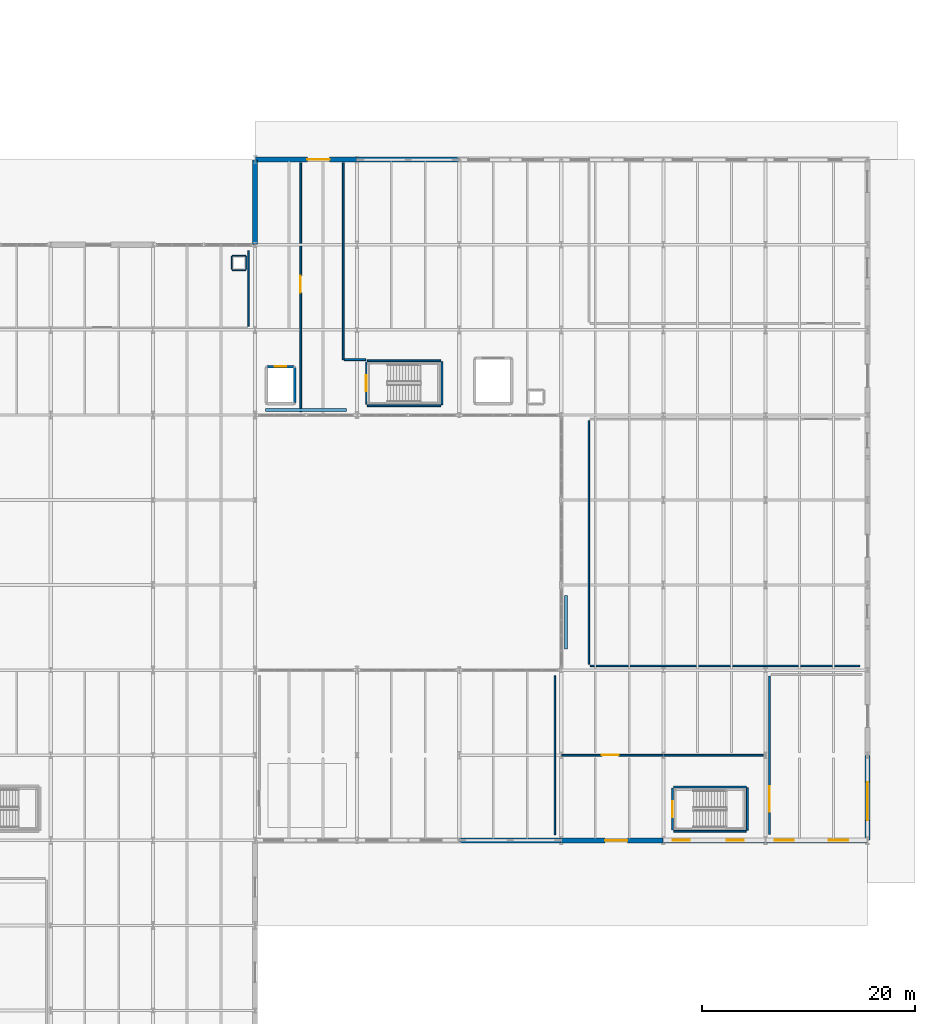
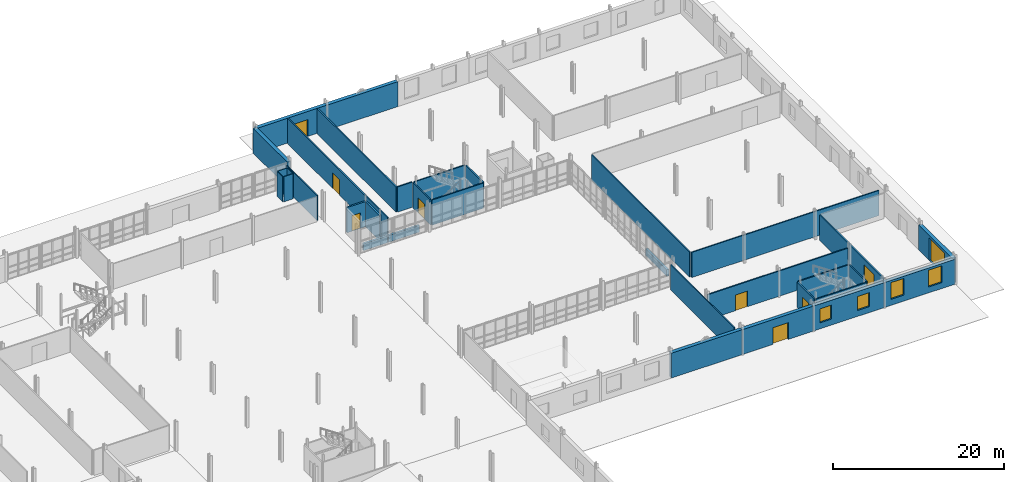
# One storey, part 63 of 78: 33 walls, 9 doors, 4 windows, 13 openings.
"""IFC4 building model written with IfcOpenShell, lengths in metres."""

from ifc_helpers import new_model, si_unit, direction, frame, frame_2d, origin, place, context, subcontext, project, spatial, rectangle, extrude, material, layer, layer_set, type_object, element, fill, save


model = new_model("IFC4")

# Units and contexts
model_context = context("Model", 3, precision=1e-05, world=origin(), true_north=direction((0.0, 1.0)))
body_context = subcontext(model_context, "Body", "Model", "MODEL_VIEW")
ifc_project = project(units=[si_unit("LENGTHUNIT", "METRE"), si_unit("AREAUNIT", "SQUARE_METRE"), si_unit("VOLUMEUNIT", "CUBIC_METRE"), si_unit("PLANEANGLEUNIT", "RADIAN"), si_unit("MASSUNIT", "GRAM", prefix="KILO")], contexts=[model_context])

# Site, building, storey
site_placement = place(None, origin())
site = spatial("IfcSite", under=ifc_project, at=site_placement, CompositionType="ELEMENT")
building_placement = place(site_placement, origin())
building = spatial("IfcBuilding", under=site, at=building_placement, Name="Alderhovde Museum", CompositionType="ELEMENT")
storey_placement = place(building_placement, origin())
storey = spatial("IfcBuildingStorey", under=building, at=storey_placement, Name="L00", CompositionType="ELEMENT", Elevation=0.0)

# Wall
ifc_material_1 = material(Name="Nordic Granite Ashlar on Concrete C35/45", Category="masonry")
ifc_layer_1 = layer(ifc_material_1, 0.47998046875)
ifc_layer_set_1 = layer_set([ifc_layer_1], Name="Nordic Granite Ashlar on Concrete C35/45")
wall_type_1 = type_object("IfcWallType", Name="EW-GRAN-480", PredefinedType="SOLIDWALL", material=ifc_layer_set_1)
wall_1_placement = place(storey_placement, frame((134.419921875, 32.0, 0.0), z_axis=(0.0, 0.0, 1.0), x_axis=(1.0, 0.0, 0.0)))
element("IfcWall", 1, at=wall_1_placement, inside=storey, type_object=wall_type_1, Name="L00 Conservation South Beaux-Arts Wall 175", PredefinedType="SOLIDWALL", context=body_context, shape_type="SweptSolid", body=[
    extrude(rectangle(XDim=9.56005859375, YDim=0.47998046875, at=frame_2d((4.780029296875, 0.0))), origin(), (0.0, 0.0, 1.0), 3.56005859375),
])

# Wall, opening, door
wall_2_placement = place(storey_placement, frame((144.02001953125, 32.0, 0.0), z_axis=(0.0, 0.0, 1.0), x_axis=(1.0, 0.0, 0.0)))
wall_2 = element("IfcWall", 2, at=wall_2_placement, inside=storey, type_object=wall_type_1, Name="L00 Conservation South Beaux-Arts Wall 176", PredefinedType="SOLIDWALL", context=body_context, shape_type="SweptSolid", body=[
    extrude(rectangle(XDim=9.56005859375, YDim=0.47998046875, at=frame_2d((4.780029296875, 0.0))), origin(), (0.0, 0.0, 1.0), 3.56005859375),
])
opening_1_placement = place(wall_2_placement, frame((4.10009765625, 0.0, 0.0)))
opening_1 = element("IfcOpeningElement", 3, at=opening_1_placement, cuts=wall_2, Name="Opening ED03", PredefinedType="OPENING", context=body_context, shape_type="SweptSolid", body=[
    extrude(rectangle(XDim=2.10009765625, YDim=2.39990234375, at=frame_2d((1.050048828125, 1.199951171875))), frame((0.0, 0.25, 0.0), z_axis=(0.0, -1.0, 0.0), x_axis=(1.0, 0.0, 0.0)), (0.0, 0.0, 1.0), 0.5),
])
ifc_material_2 = material(Name="Thermally Broken Bronze-Anodised Aluminium and Laminated Glass", Category="aluminium")
door_type_1 = type_object("IfcDoorType", Name="DR-EXT-2100x2400", OperationType="NOTDEFINED", PredefinedType="DOOR", material=ifc_material_2)
door_1_placement = place(opening_1_placement, frame((2.10009765625, 0.0, 0.0), z_axis=(0.0, 0.0, 1.0), x_axis=(-1.0, 0.0, 0.0)))
door_1 = element("IfcDoor", 4, at=door_1_placement, inside=storey, type_object=door_type_1, Name="Stair ST7 Protected Discharge Exit Door", OperationType="DOUBLE_DOOR_SINGLE_SWING", OverallHeight=2.39990234375, OverallWidth=2.10009765625, PredefinedType="DOOR", context=body_context, shape_type="SweptSolid", body=[
    extrude(rectangle(XDim=2.10009765625, YDim=2.39990234375, at=frame_2d((1.050048828125, 1.199951171875))), frame((0.0, 0.02490234375, 0.0), z_axis=(0.0, -1.0, 0.0), x_axis=(1.0, 0.0, 0.0)), (0.0, 0.0, 1.0), 0.050048828125),
])
fill(opening_1, door_1)

# Wall, openings, windows
wall_3_placement = place(storey_placement, frame((153.6201171875, 32.0, 0.0), z_axis=(0.0, 0.0, 1.0), x_axis=(1.0, 0.0, 0.0)))
wall_3 = element("IfcWall", 5, at=wall_3_placement, inside=storey, type_object=wall_type_1, Name="L00 Conservation South Beaux-Arts Wall 177", PredefinedType="SOLIDWALL", context=body_context, shape_type="SweptSolid", body=[
    extrude(rectangle(XDim=9.559814453125, YDim=0.47998046875, at=frame_2d((4.77978515625, 0.0))), origin(), (0.0, 0.0, 1.0), 3.56005859375),
])
opening_2_placement = place(wall_3_placement, frame((0.85009765625, 0.0, 0.85009765625)))
opening_2 = element("IfcOpeningElement", 6, at=opening_2_placement, cuts=wall_3, Name="Opening W17", PredefinedType="OPENING", context=body_context, shape_type="SweptSolid", body=[
    extrude(rectangle(XDim=1.60009765625, YDim=2.0, at=frame_2d((0.800048828125, 1.0))), frame((0.0, 0.25, 0.0), z_axis=(0.0, -1.0, 0.0), x_axis=(1.0, 0.0, 0.0)), (0.0, 0.0, 1.0), 0.5),
])
opening_3_placement = place(wall_3_placement, frame((5.949951171875, 0.0, 0.85009765625)))
opening_3 = element("IfcOpeningElement", 7, at=opening_3_placement, cuts=wall_3, Name="Opening W17", PredefinedType="OPENING", context=body_context, shape_type="SweptSolid", body=[
    extrude(rectangle(XDim=1.60009765625, YDim=2.0, at=frame_2d((0.800048828125, 1.0))), frame((0.0, 0.25, 0.0), z_axis=(0.0, -1.0, 0.0), x_axis=(1.0, 0.0, 0.0)), (0.0, 0.0, 1.0), 0.5),
])
ifc_material_3 = material(Name="Triple-Glazed Low-E Bronze-Anodised Aluminium", Category="aluminium")
window_type_1 = type_object("IfcWindowType", Name="WIN-LAB-1600x2000", PartitioningType="DOUBLE_PANEL_VERTICAL", PredefinedType="WINDOW", material=ifc_material_3)
window_1_placement = place(opening_2_placement, origin())
window_1 = element("IfcWindow", 8, at=window_1_placement, inside=storey, type_object=window_type_1, Name="L00 Facade Window 151", OverallHeight=2.0, OverallWidth=1.60009765625, PartitioningType="SINGLE_PANEL", PredefinedType="WINDOW", context=body_context, shape_type="SweptSolid", body=[
    extrude(rectangle(XDim=1.60009765625, YDim=2.0, at=frame_2d((0.800048828125, 1.0))), frame((0.0, 0.030029296875, 0.0), z_axis=(0.0, -1.0, 0.0), x_axis=(1.0, 0.0, 0.0)), (0.0, 0.0, 1.0), 0.06005859375),
])
fill(opening_2, window_1)
window_2_placement = place(opening_3_placement, origin())
window_2 = element("IfcWindow", 9, at=window_2_placement, inside=storey, type_object=window_type_1, Name="L00 Facade Window 152", OverallHeight=2.0, OverallWidth=1.60009765625, PartitioningType="SINGLE_PANEL", PredefinedType="WINDOW", context=body_context, shape_type="SweptSolid", body=[
    extrude(rectangle(XDim=1.60009765625, YDim=2.0, at=frame_2d((0.800048828125, 1.0))), frame((0.0, 0.030029296875, 0.0), z_axis=(0.0, -1.0, 0.0), x_axis=(1.0, 0.0, 0.0)), (0.0, 0.0, 1.0), 0.06005859375),
])
fill(opening_3, window_2)

wall_4_placement = place(storey_placement, frame((163.219970703125, 32.0, 0.0), z_axis=(0.0, 0.0, 1.0), x_axis=(1.0, 0.0, 0.0)))
wall_4 = element("IfcWall", 10, at=wall_4_placement, inside=storey, type_object=wall_type_1, Name="L00 Conservation South Beaux-Arts Wall 178", PredefinedType="SOLIDWALL", context=body_context, shape_type="SweptSolid", body=[
    extrude(rectangle(XDim=9.56005859375, YDim=0.47998046875, at=frame_2d((4.780029296875, 0.0))), origin(), (0.0, 0.0, 1.0), 3.56005859375),
])
opening_4_placement = place(wall_4_placement, frame((0.85009765625, 0.0, 0.85009765625)))
opening_4 = element("IfcOpeningElement", 11, at=opening_4_placement, cuts=wall_4, Name="Opening W05", PredefinedType="OPENING", context=body_context, shape_type="SweptSolid", body=[
    extrude(rectangle(XDim=1.800048828125, YDim=2.39990234375, at=frame_2d((0.89990234375, 1.199951171875))), frame((0.0, 0.25, 0.0), z_axis=(0.0, -1.0, 0.0), x_axis=(1.0, 0.0, 0.0)), (0.0, 0.0, 1.0), 0.5),
])
opening_5_placement = place(wall_4_placement, frame((5.949951171875, 0.0, 0.85009765625)))
opening_5 = element("IfcOpeningElement", 12, at=opening_5_placement, cuts=wall_4, Name="Opening W05", PredefinedType="OPENING", context=body_context, shape_type="SweptSolid", body=[
    extrude(rectangle(XDim=1.800048828125, YDim=2.39990234375, at=frame_2d((0.89990234375, 1.199951171875))), frame((0.0, 0.25, 0.0), z_axis=(0.0, -1.0, 0.0), x_axis=(1.0, 0.0, 0.0)), (0.0, 0.0, 1.0), 0.5),
])
ifc_material_4 = material(Name="Triple-Glazed Low-E Bronze-Anodised Aluminium", Category="aluminium")
window_type_2 = type_object("IfcWindowType", Name="WIN-BA-1800x2400", PartitioningType="DOUBLE_PANEL_VERTICAL", PredefinedType="WINDOW", material=ifc_material_4)
window_3_placement = place(opening_4_placement, origin())
window_3 = element("IfcWindow", 13, at=window_3_placement, inside=storey, type_object=window_type_2, Name="L00 Facade Window 153", OverallHeight=2.39990234375, OverallWidth=1.800048828125, PartitioningType="SINGLE_PANEL", PredefinedType="WINDOW", context=body_context, shape_type="SweptSolid", body=[
    extrude(rectangle(XDim=1.800048828125, YDim=2.39990234375, at=frame_2d((0.89990234375, 1.199951171875))), frame((0.0, 0.030029296875, 0.0), z_axis=(0.0, -1.0, 0.0), x_axis=(1.0, 0.0, 0.0)), (0.0, 0.0, 1.0), 0.06005859375),
])
fill(opening_4, window_3)
window_4_placement = place(opening_5_placement, origin())
window_4 = element("IfcWindow", 14, at=window_4_placement, inside=storey, type_object=window_type_2, Name="L00 Facade Window 154", OverallHeight=2.39990234375, OverallWidth=1.800048828125, PartitioningType="SINGLE_PANEL", PredefinedType="WINDOW", context=body_context, shape_type="SweptSolid", body=[
    extrude(rectangle(XDim=1.800048828125, YDim=2.39990234375, at=frame_2d((0.89990234375, 1.199951171875))), frame((0.0, 0.030029296875, 0.0), z_axis=(0.0, -1.0, 0.0), x_axis=(1.0, 0.0, 0.0)), (0.0, 0.0, 1.0), 0.06005859375),
])
fill(opening_5, window_4)

# Wall, opening, door
wall_5_placement = place(storey_placement, frame((115.219970703125, 96.0, 0.0), z_axis=(0.0, 0.0, 1.0), x_axis=(1.0, 0.0, 0.0)))
wall_5 = element("IfcWall", 15, at=wall_5_placement, inside=storey, type_object=wall_type_1, Name="L00 Conservation North Beaux-Arts Wall 179", PredefinedType="SOLIDWALL", context=body_context, shape_type="SweptSolid", body=[
    extrude(rectangle(XDim=9.56005859375, YDim=0.47998046875, at=frame_2d((4.780029296875, 0.0))), origin(), (0.0, 0.0, 1.0), 3.56005859375),
])
opening_6_placement = place(wall_5_placement, frame((4.89990234375, 0.0, 0.0)))
opening_6 = element("IfcOpeningElement", 16, at=opening_6_placement, cuts=wall_5, Name="Opening ED03", PredefinedType="OPENING", context=body_context, shape_type="SweptSolid", body=[
    extrude(rectangle(XDim=2.10009765625, YDim=2.39990234375, at=frame_2d((1.050048828125, 1.199951171875))), frame((0.0, 0.25, 0.0), z_axis=(0.0, -1.0, 0.0), x_axis=(1.0, 0.0, 0.0)), (0.0, 0.0, 1.0), 0.5),
])
door_2_placement = place(opening_6_placement, origin())
door_2 = element("IfcDoor", 17, at=door_2_placement, inside=storey, type_object=door_type_1, Name="Stair ST4 Protected Discharge Exit Door", OperationType="DOUBLE_DOOR_SINGLE_SWING", OverallHeight=2.39990234375, OverallWidth=2.10009765625, PredefinedType="DOOR", context=body_context, shape_type="SweptSolid", body=[
    extrude(rectangle(XDim=2.10009765625, YDim=2.39990234375, at=frame_2d((1.050048828125, 1.199951171875))), frame((0.0, 0.02490234375, 0.0), z_axis=(0.0, -1.0, 0.0), x_axis=(1.0, 0.0, 0.0)), (0.0, 0.0, 1.0), 0.050048828125),
])
fill(opening_6, door_2)

# Wall
wall_6_placement = place(storey_placement, frame((124.820068359375, 96.0, 0.0), z_axis=(0.0, 0.0, 1.0), x_axis=(1.0, 0.0, 0.0)))
element("IfcWall", 18, at=wall_6_placement, inside=storey, type_object=wall_type_1, Name="L00 Conservation North Beaux-Arts Wall 180", PredefinedType="SOLIDWALL", context=body_context, shape_type="SweptSolid", body=[
    extrude(rectangle(XDim=9.559814453125, YDim=0.47998046875, at=frame_2d((4.77978515625, 0.0))), origin(), (0.0, 0.0, 1.0), 3.56005859375),
])

# Wall, opening, door
wall_7_placement = place(storey_placement, frame((172.800048828125, 32.02001953125, 0.0), z_axis=(0.0, 0.0, 1.0), x_axis=(0.0, 1.0, 0.0)))
wall_7 = element("IfcWall", 19, at=wall_7_placement, inside=storey, type_object=wall_type_1, Name="L00 Conservation East Hillside Wall 185", PredefinedType="SOLIDWALL", context=body_context, shape_type="SweptSolid", body=[
    extrude(rectangle(XDim=7.9599609375, YDim=0.47998046875, at=frame_2d((3.97998046875, 0.0))), origin(), (0.0, 0.0, 1.0), 3.56005859375),
])
opening_7_placement = place(wall_7_placement, frame((1.85009765625, 0.0, 0.0)))
opening_7 = element("IfcOpeningElement", 20, at=opening_7_placement, cuts=wall_7, Name="Opening SH01", PredefinedType="OPENING", context=body_context, shape_type="SweptSolid", body=[
    extrude(rectangle(XDim=3.60009765625, YDim=3.199951171875, at=frame_2d((1.800048828125, 1.60009765625))), frame((0.0, 0.25, 0.0), z_axis=(0.0, -1.0, 0.0), x_axis=(1.0, 0.0, 0.0)), (0.0, 0.0, 1.0), 0.5),
])
ifc_material_5 = material(Name="Insulated Steel Roller Shutter", Category="steel")
door_type_2 = type_object("IfcDoorType", Name="DR-SHUTTER-3600x3200", OperationType="ROLLINGUP", PredefinedType="GATE", material=ifc_material_5)
door_3_placement = place(opening_7_placement, origin())
door_3 = element("IfcDoor", 21, at=door_3_placement, inside=storey, type_object=door_type_2, Name="Loading Dock Overhead Roller Shutter", OperationType="ROLLINGUP", OverallHeight=3.199951171875, OverallWidth=3.60009765625, PredefinedType="GATE", context=body_context, shape_type="SweptSolid", body=[
    extrude(rectangle(XDim=3.60009765625, YDim=3.199951171875, at=frame_2d((1.800048828125, 1.60009765625))), frame((0.0, 0.02490234375, 0.0), z_axis=(0.0, -1.0, 0.0), x_axis=(1.0, 0.0, 0.0)), (0.0, 0.0, 1.0), 0.050048828125),
])
fill(opening_7, door_3)

# Wall
wall_8_placement = place(storey_placement, frame((115.199951171875, 88.02001953125, 0.0), z_axis=(0.0, 0.0, 1.0), x_axis=(0.0, 1.0, 0.0)))
element("IfcWall", 22, at=wall_8_placement, inside=storey, type_object=wall_type_1, Name="L00 Conservation West Return Wall 193", PredefinedType="SOLIDWALL", context=body_context, shape_type="SweptSolid", body=[
    extrude(rectangle(XDim=7.9599609375, YDim=0.47998046875, at=frame_2d((3.97998046875, 0.0))), origin(), (0.0, 0.0, 1.0), 3.56005859375),
])

# Wall, opening, door
ifc_material_6 = material(Name="Fire-Resisting Twin-Stud Compartment Wall")
ifc_layer_2 = layer(ifc_material_6, 0.18994140625)
ifc_layer_set_2 = layer_set([ifc_layer_2], Name="Fire-Resisting Twin-Stud Compartment Wall")
wall_type_2 = type_object("IfcWallType", Name="IW-FIRE-190", PredefinedType="SOLIDWALL", material=ifc_layer_set_2)
wall_9_placement = place(storey_placement, frame((163.60009765625, 32.5400390625, 0.0), z_axis=(0.0, 0.0, 1.0), x_axis=(0.0, 1.0, 0.0)))
wall_9 = element("IfcWall", 23, at=wall_9_placement, inside=storey, type_object=wall_type_2, Name="L00 Loading Dock Partition Wall W", PredefinedType="SOLIDWALL", context=body_context, shape_type="SweptSolid", body=[
    extrude(rectangle(XDim=14.919921875, YDim=0.18994140625, at=frame_2d((7.4599609375, 0.0))), origin(), (0.0, 0.0, 1.0), 3.60009765625),
])
opening_8_placement = place(wall_9_placement, frame((2.14794921875, 0.0, 0.0)))
opening_8 = element("IfcOpeningElement", 24, at=opening_8_placement, cuts=wall_9, Name="Opening FD-5", PredefinedType="OPENING", context=body_context, shape_type="SweptSolid", body=[
    extrude(rectangle(XDim=2.39990234375, YDim=2.800048828125, at=frame_2d((1.199951171875, 1.39990234375))), frame((0.0, 0.10498046875, 0.0), z_axis=(0.0, -1.0, 0.0), x_axis=(1.0, 0.0, 0.0)), (0.0, 0.0, 1.0), 0.2099609375),
])
ifc_material_7 = material(Name="Fire-Rated Crating Airlock Double Door (Steel/Oak)", Category="steel")
door_type_3 = type_object("IfcDoorType", Name="FD-DOCK-2400x2800", OperationType="NOTDEFINED", PredefinedType="DOOR", material=ifc_material_7)
door_4_placement = place(opening_8_placement, origin())
door_4 = element("IfcDoor", 25, at=door_4_placement, inside=storey, type_object=door_type_3, Name="L00 Loading Dock Door", OperationType="DOUBLE_DOOR_SINGLE_SWING", OverallHeight=2.800048828125, OverallWidth=2.39990234375, PredefinedType="DOOR", context=body_context, shape_type="SweptSolid", body=[
    extrude(rectangle(XDim=2.39990234375, YDim=2.800048828125, at=frame_2d((1.199951171875, 1.39990234375))), frame((0.0, 0.02490234375, 0.0), z_axis=(0.0, -1.0, 0.0), x_axis=(1.0, 0.0, 0.0)), (0.0, 0.0, 1.0), 0.050048828125),
])
fill(opening_8, door_4)

# Walls
ifc_material_8 = material(Name="Plywood-Backed Gallery Display Partition", Category="wood")
ifc_layer_3 = layer(ifc_material_8, 0.14990234375)
ifc_layer_set_3 = layer_set([ifc_layer_3], Name="Plywood-Backed Gallery Display Partition")
wall_type_3 = type_object("IfcWallType", Name="IW-GAL-150", PredefinedType="PARTITIONING", material=ifc_layer_set_3)
wall_10_placement = place(storey_placement, frame((146.739990234375, 48.39990234375, 0.0), z_axis=(0.0, 0.0, 1.0), x_axis=(1.0, 0.0, 0.0)))
element("IfcWall", 26, at=wall_10_placement, inside=storey, type_object=wall_type_3, Name="L00 Temporary Display Hall Partition Wall S", PredefinedType="PARTITIONING", context=body_context, shape_type="SweptSolid", body=[
    extrude(rectangle(XDim=25.320068359375, YDim=0.14990234375, at=frame_2d((12.66015625, 0.0))), origin(), (0.0, 0.0, 1.0), 3.60009765625),
])
wall_11_placement = place(storey_placement, frame((146.60009765625, 48.5400390625, 0.0), z_axis=(0.0, 0.0, 1.0), x_axis=(0.0, 1.0, 0.0)))
element("IfcWall", 27, at=wall_11_placement, inside=storey, type_object=wall_type_3, Name="L00 Temporary Display Hall Partition Wall W", PredefinedType="PARTITIONING", context=body_context, shape_type="SweptSolid", body=[
    extrude(rectangle(XDim=22.919921875, YDim=0.14990234375, at=frame_2d((11.4599609375, 0.0))), origin(), (0.0, 0.0, 1.0), 3.60009765625),
])
ifc_material_9 = material(Name="Hygienic Conservation Laboratory Partition")
ifc_layer_4 = layer(ifc_material_9, 0.139892578125)
ifc_layer_set_4 = layer_set([ifc_layer_4], Name="Hygienic Conservation Laboratory Partition")
wall_type_4 = type_object("IfcWallType", Name="IW-LAB-140", PredefinedType="PARTITIONING", material=ifc_layer_set_4)
wall_12_placement = place(storey_placement, frame((143.39990234375, 32.5400390625, 0.0), z_axis=(0.0, 0.0, 1.0), x_axis=(0.0, 1.0, 0.0)))
element("IfcWall", 28, at=wall_12_placement, inside=storey, type_object=wall_type_4, Name="L00 Specimen Preparation Laboratory Partition Wall E", PredefinedType="PARTITIONING", context=body_context, shape_type="SweptSolid", body=[
    extrude(rectangle(XDim=14.919921875, YDim=0.139892578125, at=frame_2d((7.4599609375, 0.0))), origin(), (0.0, 0.0, 1.0), 3.60009765625),
])
ifc_material_10 = material(Name="Acoustic Service Riser Lining Wall")
ifc_layer_5 = layer(ifc_material_10, 0.10009765625)
ifc_layer_set_5 = layer_set([ifc_layer_5], Name="Acoustic Service Riser Lining Wall")
wall_type_5 = type_object("IfcWallType", Name="IW-LIN-100", PredefinedType="PARTITIONING", material=ifc_layer_set_5)
for number, where, z_axis, x_axis, name in (
    (29, (113.080078125, 86.97998046875, 0.0), (0.0, 0.0, 1.0), (1.0, 0.0, 0.0), "L00 Service Riser RSR-V2 Shaft Wall N"),
    (30, (113.080078125, 85.6201171875, 0.0), (0.0, 0.0, 1.0), (1.0, 0.0, 0.0), "L00 Service Riser RSR-V2 Shaft Wall S"),
    (31, (113.02001953125, 85.679931640625, 0.0), (0.0, 0.0, 1.0), (0.0, 1.0, 0.0), "L00 Service Riser RSR-V2 Shaft Wall W"),
    (32, (114.3798828125, 85.679931640625, 0.0), (0.0, 0.0, 1.0), (0.0, 1.0, 0.0), "L00 Service Riser RSR-V2 Shaft Wall E"),
):
    element("IfcWall", number, at=place(storey_placement, frame(where, z_axis=z_axis, x_axis=x_axis)), inside=storey, type_object=wall_type_5, Name=name, PredefinedType="PARTITIONING", context=body_context, shape_type="SweptSolid", body=[
        extrude(rectangle(XDim=1.239990234375, YDim=0.10009765625, at=frame_2d((0.6201171875, 0.0))), origin(), (0.0, 0.0, 1.0), 3.60009765625),
    ])
ifc_material_11 = material(Name="Insulated Metal-Stud Room Partition")
ifc_layer_6 = layer(ifc_material_11, 0.125)
ifc_layer_set_6 = layer_set([ifc_layer_6], Name="Insulated Metal-Stud Room Partition")
wall_type_6 = type_object("IfcWallType", Name="IW-PART-125", PredefinedType="PARTITIONING", material=ifc_layer_set_6)
wall_13_placement = place(storey_placement, frame((114.60009765625, 80.340087890625, 0.0), z_axis=(0.0, 0.0, 1.0), x_axis=(0.0, 1.0, 0.0)))
element("IfcWall", 33, at=wall_13_placement, inside=storey, type_object=wall_type_6, Name="L00 Museum Cafe Partition Wall E", PredefinedType="PARTITIONING", context=body_context, shape_type="SweptSolid", body=[
    extrude(rectangle(XDim=7.119873046875, YDim=0.125, at=frame_2d((3.56005859375, 0.0))), origin(), (0.0, 0.0, 1.0), 3.60009765625),
])

# Wall, opening, door
ifc_material_12 = material(Name="Concrete C40/50 and Fireboard Shaft Wall", Category="concrete")
ifc_layer_7 = layer(ifc_material_12, 0.22998046875)
ifc_layer_set_7 = layer_set([ifc_layer_7], Name="Concrete C40/50 and Fireboard Shaft Wall")
wall_type_7 = type_object("IfcWallType", Name="IW-SHAFT-230", PredefinedType="SOLIDWALL", material=ifc_layer_set_7)
wall_14_placement = place(storey_placement, frame((116.340087890625, 76.5400390625, 0.0), z_axis=(0.0, 0.0, 1.0), x_axis=(1.0, 0.0, 0.0)))
wall_14 = element("IfcWall", 34, at=wall_14_placement, inside=storey, type_object=wall_type_7, Name="L00 Passenger Lift PL-03 Shaft Wall North", PredefinedType="SOLIDWALL", context=body_context, shape_type="SweptSolid", body=[
    extrude(rectangle(XDim=2.52001953125, YDim=0.22998046875, at=frame_2d((1.260009765625, 0.0))), origin(), (0.0, 0.0, 1.0), 3.60009765625),
])
opening_9_placement = place(wall_14_placement, frame((0.7099609375, 0.0, 0.0)))
opening_9 = element("IfcOpeningElement", 35, at=opening_9_placement, cuts=wall_14, Name="Opening LD-1", PredefinedType="OPENING", context=body_context, shape_type="SweptSolid", body=[
    extrude(rectangle(XDim=1.10009765625, YDim=2.199951171875, at=frame_2d((0.550048828125, 1.10009765625))), frame((0.0, 0.125, 0.0), z_axis=(0.0, -1.0, 0.0), x_axis=(1.0, 0.0, 0.0)), (0.0, 0.0, 1.0), 0.25),
])
ifc_material_13 = material(Name="Passenger Lift Sliding Landing Door (Steel/Oak)", Category="steel")
door_type_4 = type_object("IfcDoorType", Name="LD-PASS-1100x2200", OperationType="SLIDING_TO_LEFT", PredefinedType="DOOR", material=ifc_material_13)
door_5_placement = place(opening_9_placement, origin())
door_5 = element("IfcDoor", 36, at=door_5_placement, inside=storey, type_object=door_type_4, Name="L00 Passenger Lift PL-03 Landing Door", OperationType="SLIDING_TO_LEFT", OverallHeight=2.199951171875, OverallWidth=1.10009765625, PredefinedType="DOOR", context=body_context, shape_type="SweptSolid", body=[
    extrude(rectangle(XDim=1.10009765625, YDim=2.199951171875, at=frame_2d((0.550048828125, 1.10009765625))), frame((0.0, 0.02490234375, 0.0), z_axis=(0.0, -1.0, 0.0), x_axis=(1.0, 0.0, 0.0)), (0.0, 0.0, 1.0), 0.050048828125),
])
fill(opening_9, door_5)

# Wall
wall_15_placement = place(storey_placement, frame((118.93994140625, 73.139892578125, 0.0), z_axis=(0.0, 0.0, 1.0), x_axis=(0.0, 1.0, 0.0)))
element("IfcWall", 37, at=wall_15_placement, inside=storey, type_object=wall_type_7, Name="L00 Passenger Lift PL-03 Shaft Wall East", PredefinedType="SOLIDWALL", context=body_context, shape_type="SweptSolid", body=[
    extrude(rectangle(XDim=3.320068359375, YDim=0.22998046875, at=frame_2d((1.66015625, 0.0))), origin(), (0.0, 0.0, 1.0), 3.60009765625),
])

# Wall, opening, door
ifc_material_14 = material(Name="Fire-Resisting Stair Lobby Wall")
ifc_layer_8 = layer(ifc_material_14, 0.169921875)
ifc_layer_set_8 = layer_set([ifc_layer_8], Name="Fire-Resisting Stair Lobby Wall")
wall_type_8 = type_object("IfcWallType", Name="IW-STAIR-170", PredefinedType="SOLIDWALL", material=ifc_layer_set_8)
wall_16_placement = place(storey_placement, frame((125.659912109375, 72.9599609375, 0.0), z_axis=(0.0, 0.0, 1.0), x_axis=(0.0, 1.0, 0.0)))
wall_16 = element("IfcWall", 38, at=wall_16_placement, inside=storey, type_object=wall_type_8, Name="L00 Escape Stair ST4 Fire Wall W", PredefinedType="SOLIDWALL", context=body_context, shape_type="SweptSolid", body=[
    extrude(rectangle(XDim=4.0400390625, YDim=0.169921875, at=frame_2d((2.02001953125, 0.0))), origin(), (0.0, 0.0, 1.0), 3.60009765625),
])
opening_10_placement = place(wall_16_placement, frame((1.27001953125, 0.0, 0.0)))
opening_10 = element("IfcOpeningElement", 39, at=opening_10_placement, cuts=wall_16, Name="Opening FD-1", PredefinedType="OPENING", context=body_context, shape_type="SweptSolid", body=[
    extrude(rectangle(XDim=1.5, YDim=2.199951171875, at=frame_2d((0.75, 1.10009765625))), frame((0.0, 0.094970703125, 0.0), z_axis=(0.0, -1.0, 0.0), x_axis=(1.0, 0.0, 0.0)), (0.0, 0.0, 1.0), 0.18994140625),
])
ifc_material_15 = material(Name="Fire-Rated Steel Stair Escape Door (Steel/Oak)", Category="steel")
door_type_5 = type_object("IfcDoorType", Name="FD-STAIR-1500x2200", OperationType="NOTDEFINED", PredefinedType="DOOR", material=ifc_material_15)
door_6_placement = place(opening_10_placement, origin())
door_6 = element("IfcDoor", 40, at=door_6_placement, inside=storey, type_object=door_type_5, Name="L00 Escape Stair ST4 Fire Door", OperationType="SINGLE_SWING_LEFT", OverallHeight=2.199951171875, OverallWidth=1.5, PredefinedType="DOOR", context=body_context, shape_type="SweptSolid", body=[
    extrude(rectangle(XDim=1.5, YDim=2.199951171875, at=frame_2d((0.75, 1.10009765625))), frame((0.0, 0.02490234375, 0.0), z_axis=(0.0, -1.0, 0.0), x_axis=(1.0, 0.0, 0.0)), (0.0, 0.0, 1.0), 0.050048828125),
])
fill(opening_10, door_6)

# Walls
wall_17_placement = place(storey_placement, frame((132.780029296875, 72.9599609375, 0.0), z_axis=(0.0, 0.0, 1.0), x_axis=(0.0, 1.0, 0.0)))
element("IfcWall", 41, at=wall_17_placement, inside=storey, type_object=wall_type_8, Name="L00 Escape Stair ST4 Fire Wall E", PredefinedType="SOLIDWALL", context=body_context, shape_type="SweptSolid", body=[
    extrude(rectangle(XDim=4.0400390625, YDim=0.169921875, at=frame_2d((2.02001953125, 0.0))), origin(), (0.0, 0.0, 1.0), 3.60009765625),
])
for number, where, z_axis, x_axis, name in (
    (42, (125.760009765625, 72.860107421875, 0.0), (0.0, 0.0, 1.0), (1.0, 0.0, 0.0), "L00 Escape Stair ST4 Fire Wall S"),
    (43, (125.760009765625, 77.10009765625, 0.0), (0.0, 0.0, 1.0), (1.0, 0.0, 0.0), "L00 Escape Stair ST4 Fire Wall N"),
):
    element("IfcWall", number, at=place(storey_placement, frame(where, z_axis=z_axis, x_axis=x_axis)), inside=storey, type_object=wall_type_8, Name=name, PredefinedType="SOLIDWALL", context=body_context, shape_type="SweptSolid", body=[
        extrude(rectangle(XDim=6.919921875, YDim=0.169921875, at=frame_2d((3.4599609375, 0.0))), origin(), (0.0, 0.0, 1.0), 3.60009765625),
    ])

# Wall, opening, door
wall_18_placement = place(storey_placement, frame((154.4599609375, 32.9599609375, 0.0), z_axis=(0.0, 0.0, 1.0), x_axis=(0.0, 1.0, 0.0)))
wall_18 = element("IfcWall", 44, at=wall_18_placement, inside=storey, type_object=wall_type_8, Name="L00 Escape Stair ST7 Fire Wall W", PredefinedType="SOLIDWALL", context=body_context, shape_type="SweptSolid", body=[
    extrude(rectangle(XDim=3.9599609375, YDim=0.169921875, at=frame_2d((1.97998046875, 0.0))), origin(), (0.0, 0.0, 1.0), 3.60009765625),
])
opening_11_placement = place(wall_18_placement, frame((1.22998046875, 0.0, 0.0)))
opening_11 = element("IfcOpeningElement", 45, at=opening_11_placement, cuts=wall_18, Name="Opening FD-1", PredefinedType="OPENING", context=body_context, shape_type="SweptSolid", body=[
    extrude(rectangle(XDim=1.5, YDim=2.199951171875, at=frame_2d((0.75, 1.10009765625))), frame((0.0, 0.094970703125, 0.0), z_axis=(0.0, -1.0, 0.0), x_axis=(1.0, 0.0, 0.0)), (0.0, 0.0, 1.0), 0.18994140625),
])
door_7_placement = place(opening_11_placement, origin())
door_7 = element("IfcDoor", 46, at=door_7_placement, inside=storey, type_object=door_type_5, Name="L00 Escape Stair ST7 Fire Door", OperationType="SINGLE_SWING_RIGHT", OverallHeight=2.199951171875, OverallWidth=1.5, PredefinedType="DOOR", context=body_context, shape_type="SweptSolid", body=[
    extrude(rectangle(XDim=1.5, YDim=2.199951171875, at=frame_2d((0.75, 1.10009765625))), frame((0.0, 0.02490234375, 0.0), z_axis=(0.0, -1.0, 0.0), x_axis=(1.0, 0.0, 0.0)), (0.0, 0.0, 1.0), 0.050048828125),
])
fill(opening_11, door_7)

# Walls
wall_19_placement = place(storey_placement, frame((161.5, 32.9599609375, 0.0), z_axis=(0.0, 0.0, 1.0), x_axis=(0.0, 1.0, 0.0)))
element("IfcWall", 47, at=wall_19_placement, inside=storey, type_object=wall_type_8, Name="L00 Escape Stair ST7 Fire Wall E", PredefinedType="SOLIDWALL", context=body_context, shape_type="SweptSolid", body=[
    extrude(rectangle(XDim=3.9599609375, YDim=0.169921875, at=frame_2d((1.97998046875, 0.0))), origin(), (0.0, 0.0, 1.0), 3.60009765625),
])
for number, where, z_axis, x_axis, name in (
    (48, (154.56005859375, 32.860107421875, 0.0), (0.0, 0.0, 1.0), (1.0, 0.0, 0.0), "L00 Escape Stair ST7 Fire Wall S"),
    (49, (154.56005859375, 37.02001953125, 0.0), (0.0, 0.0, 1.0), (1.0, 0.0, 0.0), "L00 Escape Stair ST7 Fire Wall N"),
):
    element("IfcWall", number, at=place(storey_placement, frame(where, z_axis=z_axis, x_axis=x_axis)), inside=storey, type_object=wall_type_8, Name=name, PredefinedType="SOLIDWALL", context=body_context, shape_type="SweptSolid", body=[
        extrude(rectangle(XDim=6.83984375, YDim=0.169921875, at=frame_2d((3.419921875, 0.0))), origin(), (0.0, 0.0, 1.0), 3.60009765625),
    ])

# Wall, opening, door
wall_20_placement = place(storey_placement, frame((119.5, 72.300048828125, 0.0), z_axis=(0.0, 0.0, 1.0), x_axis=(0.0, 1.0, 0.0)))
wall_20 = element("IfcWall", 50, at=wall_20_placement, inside=storey, type_object=wall_type_8, Name="L00 Protected Exit Corridor ST4 West Wall", PredefinedType="SOLIDWALL", context=body_context, shape_type="SweptSolid", body=[
    extrude(rectangle(XDim=23.39990234375, YDim=0.169921875, at=frame_2d((11.699951171875, 0.0))), origin(), (0.0, 0.0, 1.0), 3.60009765625),
])
opening_12_placement = place(wall_20_placement, frame((11.199951171875, 0.0, 0.0)))
opening_12 = element("IfcOpeningElement", 51, at=opening_12_placement, cuts=wall_20, Name="Opening FD-3", PredefinedType="OPENING", context=body_context, shape_type="SweptSolid", body=[
    extrude(rectangle(XDim=1.60009765625, YDim=2.25, at=frame_2d((0.800048828125, 1.125))), frame((0.0, 0.094970703125, 0.0), z_axis=(0.0, -1.0, 0.0), x_axis=(1.0, 0.0, 0.0)), (0.0, 0.0, 1.0), 0.18994140625),
])
ifc_material_16 = material(Name="Fire-Rated Compartment Double Door (Steel/Oak)", Category="steel")
door_type_6 = type_object("IfcDoorType", Name="FD-COMP-1600x2250", OperationType="NOTDEFINED", PredefinedType="DOOR", material=ifc_material_16)
door_8_placement = place(opening_12_placement, origin())
door_8 = element("IfcDoor", 52, at=door_8_placement, inside=storey, type_object=door_type_6, Name="L00 Protected Exit Corridor ST4 West Wall Fire Door", OperationType="DOUBLE_DOOR_SINGLE_SWING", OverallHeight=2.25, OverallWidth=1.60009765625, PredefinedType="DOOR", context=body_context, shape_type="SweptSolid", body=[
    extrude(rectangle(XDim=1.60009765625, YDim=2.25, at=frame_2d((0.800048828125, 1.125))), frame((0.0, 0.02490234375, 0.0), z_axis=(0.0, -1.0, 0.0), x_axis=(1.0, 0.0, 0.0)), (0.0, 0.0, 1.0), 0.050048828125),
])
fill(opening_12, door_8)

# Walls
wall_21_placement = place(storey_placement, frame((123.5, 77.199951171875, 0.0), z_axis=(0.0, 0.0, 1.0), x_axis=(0.0, 1.0, 0.0)))
element("IfcWall", 53, at=wall_21_placement, inside=storey, type_object=wall_type_8, Name="L00 Protected Exit Corridor ST4 East Wall", PredefinedType="SOLIDWALL", context=body_context, shape_type="SweptSolid", body=[
    extrude(rectangle(XDim=18.5, YDim=0.169921875, at=frame_2d((9.25, 0.0))), origin(), (0.0, 0.0, 1.0), 3.60009765625),
])
wall_22_placement = place(storey_placement, frame((123.60009765625, 77.199951171875, 0.0), z_axis=(0.0, 0.0, 1.0), x_axis=(1.0, 0.0, 0.0)))
element("IfcWall", 54, at=wall_22_placement, inside=storey, type_object=wall_type_8, Name="L00 Protected Exit Corridor ST4 Link Wall", PredefinedType="SOLIDWALL", context=body_context, shape_type="SweptSolid", body=[
    extrude(rectangle(XDim=2.0, YDim=0.169921875, at=frame_2d((1.0, 0.0))), origin(), (0.0, 0.0, 1.0), 3.60009765625),
])

# Wall, opening, door
wall_23_placement = place(storey_placement, frame((144.0, 40.0, 0.0), z_axis=(0.0, 0.0, 1.0), x_axis=(1.0, 0.0, 0.0)))
wall_23 = element("IfcWall", 55, at=wall_23_placement, inside=storey, type_object=wall_type_8, Name="L00 Protected Exit Corridor ST7 North Wall", PredefinedType="SOLIDWALL", context=body_context, shape_type="SweptSolid", body=[
    extrude(rectangle(XDim=19.0, YDim=0.169921875, at=frame_2d((9.5, 0.0))), origin(), (0.0, 0.0, 1.0), 3.60009765625),
])
opening_13_placement = place(wall_23_placement, frame((3.800048828125, 0.0, 0.0)))
opening_13 = element("IfcOpeningElement", 56, at=opening_13_placement, cuts=wall_23, Name="Opening FD-3", PredefinedType="OPENING", context=body_context, shape_type="SweptSolid", body=[
    extrude(rectangle(XDim=1.60009765625, YDim=2.25, at=frame_2d((0.800048828125, 1.125))), frame((0.0, 0.094970703125, 0.0), z_axis=(0.0, -1.0, 0.0), x_axis=(1.0, 0.0, 0.0)), (0.0, 0.0, 1.0), 0.18994140625),
])
door_9_placement = place(opening_13_placement, origin())
door_9 = element("IfcDoor", 57, at=door_9_placement, inside=storey, type_object=door_type_6, Name="L00 Protected Exit Corridor ST7 North Wall Fire Door", OperationType="DOUBLE_DOOR_SINGLE_SWING", OverallHeight=2.25, OverallWidth=1.60009765625, PredefinedType="DOOR", context=body_context, shape_type="SweptSolid", body=[
    extrude(rectangle(XDim=1.60009765625, YDim=2.25, at=frame_2d((0.800048828125, 1.125))), frame((0.0, 0.02490234375, 0.0), z_axis=(0.0, -1.0, 0.0), x_axis=(1.0, 0.0, 0.0)), (0.0, 0.0, 1.0), 0.050048828125),
])
fill(opening_13, door_9)

# Walls
ifc_material_17 = material(Name="Granite Coping Parapet", Category="masonry")
ifc_layer_9 = layer(ifc_material_17, 0.280029296875)
ifc_layer_set_9 = layer_set([ifc_layer_9], Name="Granite Coping Parapet")
wall_type_9 = type_object("IfcWallType", Name="PAR-STONE-280", PredefinedType="PARAPET", material=ifc_layer_set_9)
wall_24_placement = place(storey_placement, frame((116.199951171875, 72.449951171875, 0.0), z_axis=(0.0, 0.0, 1.0), x_axis=(1.0, 0.0, 0.0)))
element("IfcWall", 58, at=wall_24_placement, inside=storey, type_object=wall_type_9, Name="L00 Court Stone Parapet PRP-L00-N1", PredefinedType="PARAPET", context=body_context, shape_type="SweptSolid", body=[
    extrude(rectangle(XDim=7.60009765625, YDim=0.280029296875, at=frame_2d((3.800048828125, 0.0))), origin(), (0.0, 0.0, 1.0), 0.949951171875),
])
wall_25_placement = place(storey_placement, frame((144.449951171875, 50.0, 0.0), z_axis=(0.0, 0.0, 1.0), x_axis=(0.0, 1.0, 0.0)))
element("IfcWall", 59, at=wall_25_placement, inside=storey, type_object=wall_type_9, Name="L00 Court Stone Parapet PRP-L00-E1", PredefinedType="PARAPET", context=body_context, shape_type="SweptSolid", body=[
    extrude(rectangle(XDim=5.0, YDim=0.280029296875, at=frame_2d((2.5, 0.0))), origin(), (0.0, 0.0, 1.0), 0.949951171875),
])

save(model, "model.ifc")
